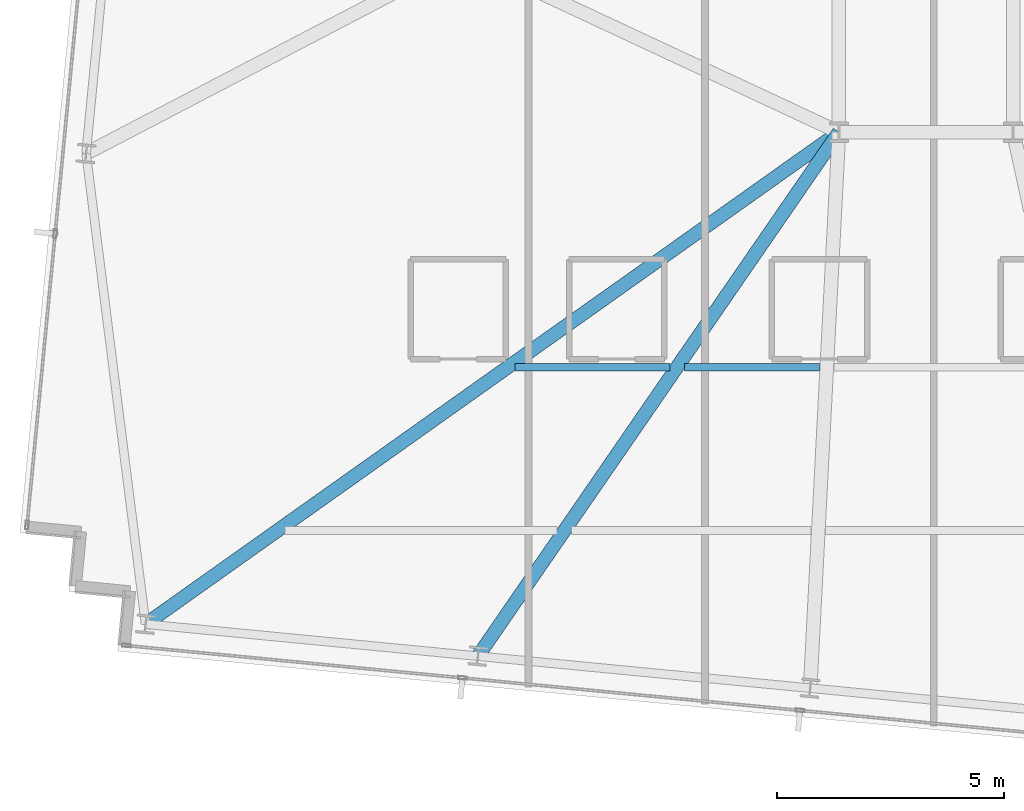
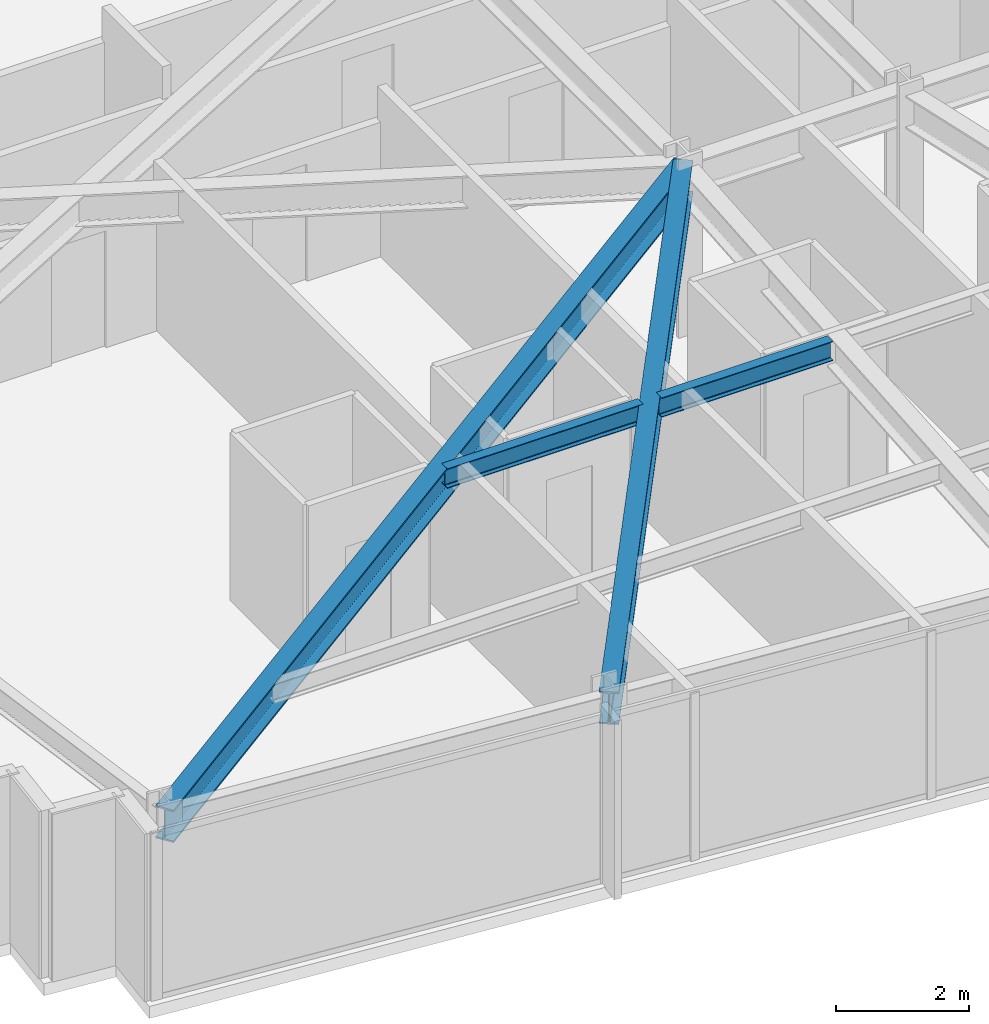
# One storey, part 5 of 38: 4 beams.
"""IFC4 building model written with IfcOpenShell, lengths in metres."""

from ifc_helpers import new_model, si_unit, direction, frame, origin, origin_2d, place, context, subcontext, project, spatial, i_section, extrude, material, material_profile, profile_set, type_object, element, save


model = new_model("IFC4")

# Units and contexts
model_context = context("Model", 3, precision=1e-05, world=origin(), true_north=direction((0.0, 1.0)))
body_context = subcontext(model_context, "Body", "Model", "MODEL_VIEW")
ifc_project = project(units=[si_unit("LENGTHUNIT", "METRE"), si_unit("AREAUNIT", "SQUARE_METRE"), si_unit("VOLUMEUNIT", "CUBIC_METRE"), si_unit("PLANEANGLEUNIT", "RADIAN"), si_unit("MASSUNIT", "GRAM", prefix="KILO")], contexts=[model_context])

# Site, building, storey
site_placement = place(None, origin())
site = spatial("IfcSite", under=ifc_project, at=site_placement, CompositionType="ELEMENT")
building_placement = place(site_placement, origin())
building = spatial("IfcBuilding", under=site, at=building_placement, Name="Yelkora Congress Tower", CompositionType="ELEMENT")
storey_placement = place(building_placement, frame((0.0, 0.0, 178.699951171875)))
storey = spatial("IfcBuildingStorey", under=building, at=storey_placement, Name="L49", CompositionType="ELEMENT", Elevation=178.699951171875)

# Beams
ifc_material = material(Name="Steel S355J2", Category="steel")
ifc_material_profile_1 = material_profile(ifc_material, i_section(OverallWidth=0.300048828125, OverallDepth=0.60009765625, WebThickness=0.015380859375, FlangeThickness=0.030029296875, FilletRadius=0.027099609375, at=origin_2d()), Name="HEB 600")
ifc_profile_set_1 = profile_set([ifc_material_profile_1], Name="Steel S355J2")
beam_type_1 = type_object("IfcBeamType", Name="BM-GIRD-HEB600", PredefinedType="BEAM", material=ifc_profile_set_1)
beam_1_placement = place(storey_placement, frame((3.919189453125, 14.357421875, 2.780029296875), z_axis=(0.815554555366, 0.578680194254, 0.0), x_axis=(-0.578680194254, 0.815554555366, 0.0)))
element("IfcBeam", 1, at=beam_1_placement, inside=storey, type_object=beam_type_1, Name="L49 Primary Frame Girder S01", PredefinedType="BEAM", context=body_context, shape_type="SweptSolid", body=[
    extrude(i_section(OverallWidth=0.300048828125, OverallDepth=0.60009765625, WebThickness=0.015380859375, FlangeThickness=0.030029296875, FilletRadius=0.027099609375, at=origin_2d()), origin(), (0.0, 0.0, 1.0), 18.736572265625),
])
beam_2_placement = place(storey_placement, frame((11.242431640625, 13.652099609375, 2.780029296875), z_axis=(0.567418043278, 0.823429878109, 0.0), x_axis=(-0.823429878109, 0.567418043278, 0.0)))
element("IfcBeam", 2, at=beam_2_placement, inside=storey, type_object=beam_type_1, Name="L49 Primary Frame Girder S02", PredefinedType="BEAM", context=body_context, shape_type="SweptSolid", body=[
    extrude(i_section(OverallWidth=0.300048828125, OverallDepth=0.60009765625, WebThickness=0.015380859375, FlangeThickness=0.030029296875, FilletRadius=0.027099609375, at=origin_2d()), origin(), (0.0, 0.0, 1.0), 14.024169921875),
])
ifc_material_profile_2 = material_profile(ifc_material, i_section(OverallWidth=0.169921875, OverallDepth=0.360107421875, WebThickness=0.008056640625, FlangeThickness=0.0126953125, FilletRadius=0.01806640625, at=origin_2d()), Name="IPE 360")
ifc_profile_set_2 = profile_set([ifc_material_profile_2], Name="Steel S355J2")
beam_type_2 = type_object("IfcBeamType", Name="BM-JOIST-IPE360", PredefinedType="JOIST", material=ifc_profile_set_2)
beam_3_placement = place(storey_placement, frame((12.061279296875, 20.021240234375, 2.900146484375), z_axis=(1.0, 0.0, 0.0), x_axis=(0.0, 1.0, 0.0)))
element("IfcBeam", 3, at=beam_3_placement, inside=storey, type_object=beam_type_2, Name="L49 Composite Floor Joist 12", PredefinedType="JOIST", context=body_context, shape_type="SweptSolid", body=[
    extrude(i_section(OverallWidth=0.169921875, OverallDepth=0.360107421875, WebThickness=0.008056640625, FlangeThickness=0.0126953125, FilletRadius=0.01806640625, at=origin_2d()), origin(), (0.0, 0.0, 1.0), 3.409912109375),
])
beam_4_placement = place(storey_placement, frame((15.791259765625, 20.021240234375, 2.900146484375), z_axis=(1.0, 0.0, 0.0), x_axis=(0.0, 1.0, 0.0)))
element("IfcBeam", 4, at=beam_4_placement, inside=storey, type_object=beam_type_2, Name="L49 Composite Floor Joist 13", PredefinedType="JOIST", context=body_context, shape_type="SweptSolid", body=[
    extrude(i_section(OverallWidth=0.169921875, OverallDepth=0.360107421875, WebThickness=0.008056640625, FlangeThickness=0.0126953125, FilletRadius=0.01806640625, at=origin_2d()), origin(), (0.0, 0.0, 1.0), 2.980712890625),
])

save(model, "model.ifc")
